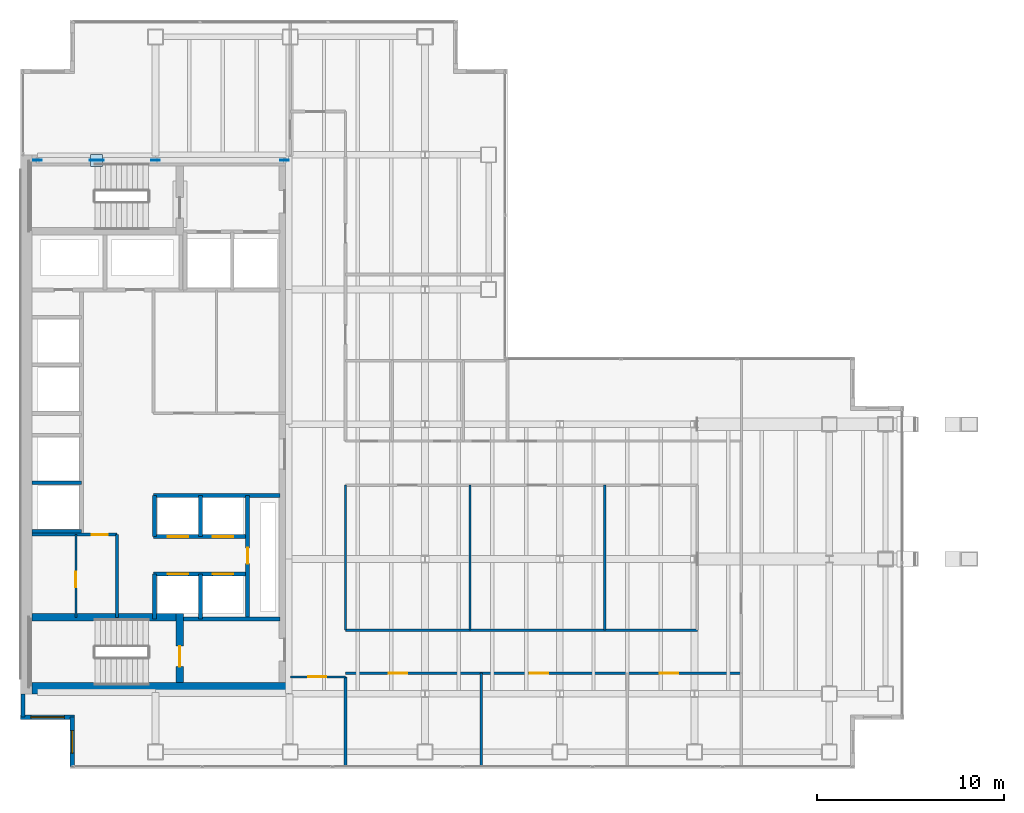
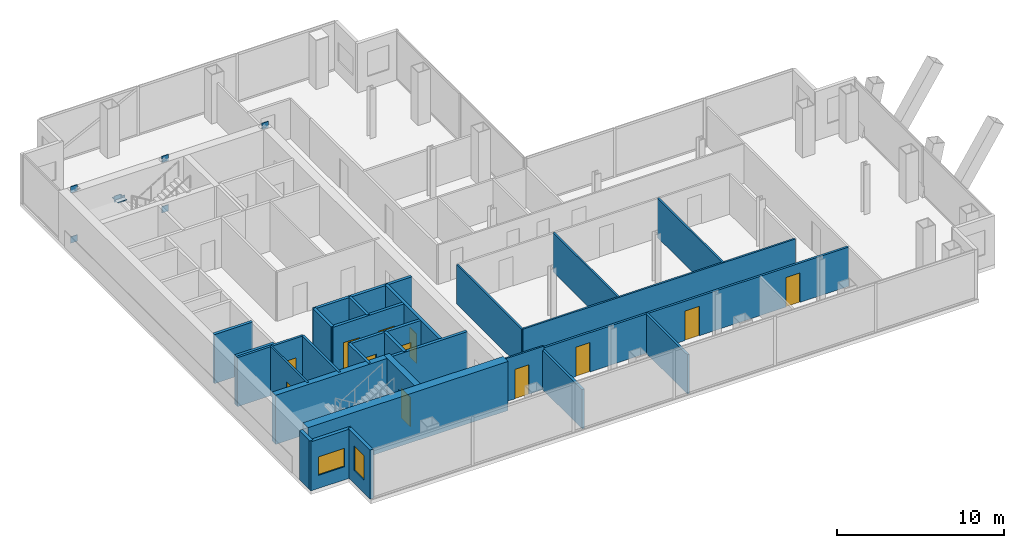
# One storey, part 20 of 23: 28 walls, 12 doors, 8 plates, 2 windows, 14 openings.
"""IFC4 building model written with IfcOpenShell, lengths in metres."""

import ifcopenshell
import ifcopenshell.guid

model = None  # the IFC model being written
_history = None  # IfcOwnerHistory: only IFC2X3 demands one
_inside = {}  # id of a spatial element -> (the spatial element, [elements in it])
_under = {}  # id of a project, library or spatial element -> (it, [spatial elements below it])
_declared = {}  # id of a project -> (the project, [libraries it declares])
_typed = {}  # id of a type object -> (the type object, [elements of that type])
_made_of = {}  # id of a material, layer set ... -> (it, [elements and type objects made of it])


def new_model(schema):
    """Start an empty IFC model of exactly this schema.

    Asked for "IFC4X3", IfcOpenShell would pick the latest addendum, in which some entities
    have other attributes; the version numbers below select the first issue.
    IFC2X3 requires an IfcOwnerHistory on every rooted entity: one is made here for all.
    """
    global model, _history
    if schema == "IFC4X3":
        model = ifcopenshell.file(schema_version=(4, 3, 0, 0))
    else:
        model = ifcopenshell.file(schema=schema)
    _inside.clear()
    _under.clear()
    _declared.clear()
    _typed.clear()
    _made_of.clear()
    _history = None
    if model.schema == "IFC2X3":
        org = make("IfcOrganization", Name="unknown")
        user = make(
            "IfcPersonAndOrganization",
            ThePerson=make("IfcPerson", FamilyName="unknown"),
            TheOrganization=org,
        )
        app = make(
            "IfcApplication",
            ApplicationDeveloper=org,
            Version="unknown",
            ApplicationFullName="unknown",
            ApplicationIdentifier="unknown",
        )
        _history = make(
            "IfcOwnerHistory",
            OwningUser=user,
            OwningApplication=app,
            ChangeAction="ADDED",
            CreationDate=0,
        )
    return model


def make(cls, **values):
    """One entity of the class cls with the attributes given. An attribute that is None is left unset."""
    return model.create_entity(
        cls, **{name: value for name, value in values.items() if value is not None}
    )


def rooted(cls, **values):
    """An entity with a GlobalId (a new one), such as an element, a storey or a relation."""
    return make(cls, GlobalId=ifcopenshell.guid.new(), OwnerHistory=_history, **values)


def si_unit(unit_type, name, prefix=None):
    """IfcSIUnit, for example si_unit("LENGTHUNIT", "METRE", prefix="MILLI")."""
    return make("IfcSIUnit", UnitType=unit_type, Prefix=prefix, Name=name)


def assignment(units):
    """IfcUnitAssignment: the units of a project."""
    return None if units is None else make("IfcUnitAssignment", Units=units)


def point(xyz):
    """IfcCartesianPoint."""
    return None if xyz is None else make("IfcCartesianPoint", Coordinates=xyz)


def direction(xyz):
    """IfcDirection."""
    return None if xyz is None else make("IfcDirection", DirectionRatios=xyz)


def frame(location, z_axis=None, x_axis=None):
    """IfcAxis2Placement3D, a coordinate frame: its origin and axes. An axis left out is left unset."""
    return make(
        "IfcAxis2Placement3D",
        Location=point(location),
        Axis=direction(z_axis),
        RefDirection=direction(x_axis),
    )


def frame_2d(location, x_axis=None):
    """IfcAxis2Placement2D, a coordinate frame in the plane: its origin and x axis."""
    return make(
        "IfcAxis2Placement2D", Location=point(location), RefDirection=direction(x_axis)
    )


def origin():
    """The frame at (0, 0, 0) with its axes left unset."""
    return frame((0.0, 0.0, 0.0))


def origin_2d():
    """The frame at (0, 0) in the plane with its x axis left unset."""
    return frame_2d((0.0, 0.0))


def place(relative_to, where):
    """IfcLocalPlacement: puts the frame where relative to a parent placement (None: the world)."""
    return make(
        "IfcLocalPlacement", PlacementRelTo=relative_to, RelativePlacement=where
    )


def context(
    kind, dimensions, precision=None, world=None, true_north=None, identifier=None
):
    """IfcGeometricRepresentationContext, for example the 3D "Model" context."""
    return make(
        "IfcGeometricRepresentationContext",
        ContextIdentifier=identifier,
        ContextType=kind,
        CoordinateSpaceDimension=dimensions,
        Precision=precision,
        WorldCoordinateSystem=world,
        TrueNorth=true_north,
    )


def subcontext(parent, identifier, kind, view, scale=None):
    """IfcGeometricRepresentationSubContext, for example "Body" below "Model"."""
    return make(
        "IfcGeometricRepresentationSubContext",
        ContextIdentifier=identifier,
        ContextType=kind,
        ParentContext=parent,
        TargetScale=scale,
        TargetView=view,
    )


def project(units=None, contexts=None):
    """IfcProject with its units and contexts."""
    return rooted(
        "IfcProject",
        Name="project",
        RepresentationContexts=contexts,
        UnitsInContext=assignment(units),
    )


def spatial(cls, under=None, at=None, **own):
    """A site, building, storey or space (cls), placed at a placement, below another one or the project."""
    s = rooted(cls, ObjectPlacement=at, **own)
    if under is not None:
        _under.setdefault(under.id(), (under, []))[1].append(s)
    return s


def profile(cls, at=None, kind="AREA", **sizes):
    """A parametric profile (cls). Its sizes go by their IFC names, for example OverallWidth=200.0."""
    return make(cls, ProfileType=kind, Position=at, **sizes)


def rectangle(**sizes):
    """IfcRectangleProfileDef."""
    return profile("IfcRectangleProfileDef", **sizes)


def extrude(swept, where, along, depth):
    """IfcExtrudedAreaSolid: the profile swept, set in the frame where, extruded along a direction by depth."""
    return make(
        "IfcExtrudedAreaSolid",
        SweptArea=swept,
        Position=where,
        ExtrudedDirection=direction(along),
        Depth=depth,
    )


def shape(context_of_items, identifier, shape_type, items):
    """IfcShapeRepresentation: the items that make up one representation, for example the "Body"."""
    return make(
        "IfcShapeRepresentation",
        ContextOfItems=context_of_items,
        RepresentationIdentifier=identifier,
        RepresentationType=shape_type,
        Items=items,
    )


def material(Name=None, Category=None):
    """IfcMaterial."""
    return make("IfcMaterial", Name=Name, Category=Category)


def layer(
    of_material, thickness, ventilated=None, Name=None, Category=None, Priority=None
):
    """IfcMaterialLayer: one layer of a wall or slab, of a material (None: an air gap)."""
    return make(
        "IfcMaterialLayer",
        Material=of_material,
        LayerThickness=thickness,
        IsVentilated=ventilated,
        Name=Name,
        Category=Category,
        Priority=Priority,
    )


def layer_set(layers, Name=None):
    """IfcMaterialLayerSet."""
    return make("IfcMaterialLayerSet", MaterialLayers=layers, LayerSetName=Name)


def made_of(thing, what):
    """Note that an element or type object is made of a material, layer set ...; save() writes the relation."""
    if what is not None:
        _made_of.setdefault(what.id(), (what, []))[1].append(thing)
    return thing


def type_object(cls, material=None, **own):
    """A type object (cls), such as IfcWallType, which elements share."""
    return made_of(rooted(cls, **own), material)


def element(
    cls,
    number,
    at=None,
    inside=None,
    cuts=None,
    type_object=None,
    material=None,
    context=None,
    identifier="Body",
    shape_type=None,
    held_by="IfcProductDefinitionShape",
    body=None,
    shapes=None,
    **own,
):
    """One element of the class cls, such as IfcWall. Its Tag is "e" and its number.

    at: its placement. inside: the storey or other place that contains it. cuts: it is an
    opening in that element (IfcRelVoidsElement). A single representation is given by context,
    identifier, shape_type and body (its items); several are given by shapes. held_by: the class
    of the entity that holds the representations. save() writes the other relations.
    """
    e = rooted(cls, Tag="e%d" % number, ObjectPlacement=at, **own)
    if body is not None:
        shapes = [shape(context, identifier, shape_type, body)]
    if shapes is not None:
        e.Representation = make(held_by, Representations=shapes)
    if inside is not None:
        _inside.setdefault(inside.id(), (inside, []))[1].append(e)
    if cuts is not None:
        rooted(
            "IfcRelVoidsElement", RelatingBuildingElement=cuts, RelatedOpeningElement=e
        )
    if type_object is not None:
        _typed.setdefault(type_object.id(), (type_object, []))[1].append(e)
    return made_of(e, material)


def fill(opening, filler):
    """IfcRelFillsElement: the door or window that sits in an opening."""
    return rooted(
        "IfcRelFillsElement",
        RelatingOpeningElement=opening,
        RelatedBuildingElement=filler,
    )


def aggregate(whole, parts):
    """IfcRelAggregates: a whole, such as a stair, and the parts it consists of."""
    return rooted("IfcRelAggregates", RelatingObject=whole, RelatedObjects=parts)


def save(model, path):
    """Write the relations noted so far, then the file.

    IfcRelAggregates (storeys below a building ...), IfcRelContainedInSpatialStructure (elements
    in a storey), IfcRelDefinesByType, IfcRelAssociatesMaterial and IfcRelDeclares: one each for
    every whole, place, type object, material and project.
    """
    for whole, parts in _under.values():
        aggregate(whole, parts)
    for where, things in _inside.values():
        rooted(
            "IfcRelContainedInSpatialStructure",
            RelatedElements=things,
            RelatingStructure=where,
        )
    for kind, things in _typed.values():
        rooted("IfcRelDefinesByType", RelatedObjects=things, RelatingType=kind)
    for what, things in _made_of.values():
        rooted("IfcRelAssociatesMaterial", RelatedObjects=things, RelatingMaterial=what)
    for by, libraries in _declared.values():
        rooted("IfcRelDeclares", RelatingContext=by, RelatedDefinitions=libraries)
    model.write(path)


model = new_model("IFC4")

# Units and contexts
model_context = context("Model", 3, precision=1e-05, world=origin(), true_north=direction((0.0, 1.0)))
body_context = subcontext(model_context, "Body", "Model", "MODEL_VIEW")
ifc_project = project(units=[si_unit("LENGTHUNIT", "METRE"), si_unit("AREAUNIT", "SQUARE_METRE"), si_unit("VOLUMEUNIT", "CUBIC_METRE"), si_unit("PLANEANGLEUNIT", "RADIAN"), si_unit("MASSUNIT", "GRAM", prefix="KILO")], contexts=[model_context])

# Site, building, storey
site_placement = place(None, origin())
site = spatial("IfcSite", under=ifc_project, at=site_placement, CompositionType="ELEMENT")
building_placement = place(site_placement, origin())
building = spatial("IfcBuilding", under=site, at=building_placement, Name="Cobrela Telecom Tower", CompositionType="ELEMENT")
storey_placement = place(building_placement, frame((0.0, 0.0, 159.949951171875)))
storey = spatial("IfcBuildingStorey", under=building, at=storey_placement, Name="L40", CompositionType="ELEMENT", Elevation=159.949951171875)

# Plates
ifc_material_1 = material(Name="Steel ASTM A572 Grade 50", Category="steel")
ifc_layer_1 = layer(ifc_material_1, 0.0419921875)
ifc_layer_set_1 = layer_set([ifc_layer_1], Name="Steel ASTM A572 Grade 50")
plate_type = type_object("IfcPlateType", Name="PLT-NODE-ND1", PredefinedType="USERDEFINED", material=ifc_layer_set_1)
for number, where, z_axis, x_axis, name in (
    (1, (0.89990234375, 35.699951171875, -0.27001953125), (0.0, 0.0, 1.0), (1.0, 0.0, 0.0), "Steel node plate PLT-MBR-EXO-L40-N1-A-0"),
    (2, (7.199951171875, 35.699951171875, 3.39013671875), (0.0, 0.0, 1.0), (1.0, 0.0, 0.0), "Steel node plate PLT-MBR-EXO-L40-N1-A-1"),
    (3, (7.199951171875, 35.699951171875, -0.27001953125), (0.0, 0.0, 1.0), (-1.0, 0.0, 0.0), "Steel node plate PLT-MBR-EXO-L40-N1-B1-0"),
    (4, (4.1953125, 35.699951171875, 1.4755859375), (0.0, 0.0, 1.0), (-1.0, 0.0, 0.0), "Steel node plate PLT-MBR-EXO-L40-N1-B1-1"),
    (5, (3.90478515625, 35.699951171875, 1.64453125), (0.0, 0.0, 1.0), (-1.0, 0.0, 0.0), "Steel node plate PLT-MBR-EXO-L40-N1-B2-0"),
    (6, (0.89990234375, 35.699951171875, 3.39013671875), (0.0, 0.0, 1.0), (-1.0, 0.0, 0.0), "Steel node plate PLT-MBR-EXO-L40-N1-B2-1"),
):
    element("IfcPlate", number, at=place(storey_placement, frame(where, z_axis=z_axis, x_axis=x_axis)), inside=storey, type_object=plate_type, Name=name, ObjectType="GUSSET PLATE", PredefinedType="USERDEFINED", context=body_context, shape_type="SweptSolid", body=[
        extrude(rectangle(XDim=0.4599609375, YDim=0.044921875, at=origin_2d()), origin(), (0.0, 0.0, 1.0), 0.4599609375),
    ])
plate_1_placement = place(storey_placement, frame((4.050048828125, 35.699951171875, 1.767578125), z_axis=(0.0, 0.0, 1.0), x_axis=(1.0, 0.0, 0.0)))
element("IfcPlate", 7, at=plate_1_placement, inside=storey, type_object=plate_type, Name="L40 Core Flange Steel X-Brace Central X-Crossing Gusset Plate", ObjectType="GUSSET PLATE", PredefinedType="USERDEFINED", context=body_context, shape_type="SweptSolid", body=[
    extrude(rectangle(XDim=0.64990234375, YDim=0.64990234375, at=origin_2d()), origin(), (0.0, 0.0, 1.0), 0.044921875),
])
plate_2_placement = place(storey_placement, frame((14.10009765625, 35.699951171875, 3.39013671875), z_axis=(0.0, 0.0, 1.0), x_axis=(1.0, 0.0, 0.0)))
element("IfcPlate", 8, at=plate_2_placement, inside=storey, type_object=plate_type, Name="Steel node plate PLT-MBR-EXO-L40-N2-1", ObjectType="GUSSET PLATE", PredefinedType="USERDEFINED", context=body_context, shape_type="SweptSolid", body=[
    extrude(rectangle(XDim=0.4599609375, YDim=0.044921875, at=origin_2d()), origin(), (0.0, 0.0, 1.0), 0.4599609375),
])

# Wall
ifc_material_2 = material(Name="Concrete C50/60", Category="concrete")
ifc_layer_2 = layer(ifc_material_2, 0.60009765625)
ifc_layer_set_2 = layer_set([ifc_layer_2], Name="Concrete C50/60")
wall_type_1 = type_object("IfcWallType", Name="WALL-CORE-C50-600", PredefinedType="SHEAR", material=ifc_layer_set_2)
wall_1_placement = place(storey_placement, frame((0.60009765625, 7.5, 0.0), z_axis=(0.0, 0.0, 1.0), x_axis=(1.0, 0.0, 0.0)))
element("IfcWall", 9, at=wall_1_placement, inside=storey, type_object=wall_type_1, Name="L40 South Core Shear Wall", PredefinedType="SHEAR", context=body_context, shape_type="SweptSolid", body=[
    extrude(rectangle(XDim=13.7998046875, YDim=0.60009765625, at=frame_2d((6.89990234375, 0.0))), origin(), (0.0, 0.0, 1.0), 3.580078125),
])

# Wall, opening, window
ifc_material_3 = material(Name="Concrete C40/50", Category="concrete")
ifc_layer_3 = layer(ifc_material_3, 0.239990234375)
ifc_layer_set_3 = layer_set([ifc_layer_3], Name="Concrete C40/50")
wall_type_2 = type_object("IfcWallType", Name="WALL-EXT-300", PredefinedType="STANDARD", material=ifc_layer_set_3)
wall_2_placement = place(storey_placement, frame((2.75, 3.320068359375, 0.0), z_axis=(0.0, 0.0, 1.0), x_axis=(0.0, 1.0, 0.0)))
wall_2 = element("IfcWall", 10, at=wall_2_placement, inside=storey, type_object=wall_type_2, Name="L40 Insulated Facade Wall 01", PredefinedType="STANDARD", context=body_context, shape_type="SweptSolid", body=[
    extrude(rectangle(XDim=2.6298828125, YDim=0.239990234375, at=frame_2d((1.31494140625, 0.0))), origin(), (0.0, 0.0, 1.0), 3.580078125),
])
opening_1_placement = place(wall_2_placement, frame((0.715087890625, 0.0, 0.949951171875)))
opening_1 = element("IfcOpeningElement", 11, at=opening_1_placement, cuts=wall_2, Name="Opening WN-19", PredefinedType="OPENING", context=body_context, shape_type="SweptSolid", body=[
    extrude(rectangle(XDim=1.199951171875, YDim=1.800048828125, at=frame_2d((0.60009765625, 0.89990234375))), frame((0.0, 0.1318359375, 0.0), z_axis=(0.0, -1.0, 0.0), x_axis=(1.0, 0.0, 0.0)), (0.0, 0.0, 1.0), 0.263916015625),
])
ifc_material_4 = material(Name="Solar-Control Bronze Low-E Glass", Category="glass")
window_type_1 = type_object("IfcWindowType", Name="WIN-MOD-1200", PartitioningType="SINGLE_PANEL", PredefinedType="WINDOW", material=ifc_material_4)
window_1_placement = place(opening_1_placement, origin())
window_1 = element("IfcWindow", 12, at=window_1_placement, inside=storey, type_object=window_type_1, Name="L40 Corner Notch Facade Window 190", OverallHeight=1.800048828125, OverallWidth=1.199951171875, PartitioningType="SINGLE_PANEL", PredefinedType="WINDOW", context=body_context, shape_type="SweptSolid", body=[
    extrude(rectangle(XDim=1.199951171875, YDim=1.800048828125, at=frame_2d((0.60009765625, 0.89990234375))), frame((0.0, 0.030029296875, 0.0), z_axis=(0.0, -1.0, 0.0), x_axis=(1.0, 0.0, 0.0)), (0.0, 0.0, 1.0), 0.06005859375),
])
fill(opening_1, window_1)

wall_3_placement = place(storey_placement, frame((2.8701171875, 5.949951171875, 0.0), z_axis=(0.0, 0.0, 1.0), x_axis=(-1.0, 0.0, 0.0)))
wall_3 = element("IfcWall", 13, at=wall_3_placement, inside=storey, type_object=wall_type_2, Name="L40 Insulated Facade Wall 02", PredefinedType="STANDARD", context=body_context, shape_type="SweptSolid", body=[
    extrude(rectangle(XDim=2.8701171875, YDim=0.239990234375, at=frame_2d((1.43505859375, 0.0))), origin(), (0.0, 0.0, 1.0), 3.580078125),
])
opening_2_placement = place(wall_3_placement, frame((0.534912109375, 0.0, 0.949951171875)))
opening_2 = element("IfcOpeningElement", 14, at=opening_2_placement, cuts=wall_3, Name="Opening WN-27", PredefinedType="OPENING", context=body_context, shape_type="SweptSolid", body=[
    extrude(rectangle(XDim=1.800048828125, YDim=1.35009765625, at=frame_2d((0.89990234375, 0.675048828125))), frame((0.0, 0.1318359375, 0.0), z_axis=(0.0, -1.0, 0.0), x_axis=(1.0, 0.0, 0.0)), (0.0, 0.0, 1.0), 0.263916015625),
])
window_type_2 = type_object("IfcWindowType", Name="WIN-CLER-1800", PartitioningType="SINGLE_PANEL", PredefinedType="WINDOW", material=ifc_material_4)
window_2_placement = place(opening_2_placement, origin())
window_2 = element("IfcWindow", 15, at=window_2_placement, inside=storey, type_object=window_type_2, Name="L40 Corner Notch Facade Window 191", OverallHeight=1.35009765625, OverallWidth=1.800048828125, PartitioningType="SINGLE_PANEL", PredefinedType="WINDOW", context=body_context, shape_type="SweptSolid", body=[
    extrude(rectangle(XDim=1.800048828125, YDim=1.35009765625, at=frame_2d((0.89990234375, 0.675048828125))), frame((0.0, 0.030029296875, 0.0), z_axis=(0.0, -1.0, 0.0), x_axis=(1.0, 0.0, 0.0)), (0.0, 0.0, 1.0), 0.06005859375),
])
fill(opening_2, window_2)

# Wall
wall_4_placement = place(storey_placement, frame((0.1201171875, 5.949951171875, 0.0), z_axis=(0.0, 0.0, 1.0), x_axis=(0.0, 1.0, 0.0)))
element("IfcWall", 16, at=wall_4_placement, inside=storey, type_object=wall_type_2, Name="L40 Insulated Facade Wall 03", PredefinedType="STANDARD", context=body_context, shape_type="SweptSolid", body=[
    extrude(rectangle(XDim=1.25, YDim=0.239990234375, at=frame_2d((0.625, 0.0))), origin(), (0.0, 0.0, 1.0), 3.580078125),
])

# Wall, opening, door
ifc_material_5 = material(Name="Fire-Rated Gypsum Plasterboard")
ifc_layer_4 = layer(ifc_material_5, 0.110107421875)
ifc_layer_set_4 = layer_set([ifc_layer_4], Name="Fire-Rated Gypsum Plasterboard")
wall_type_3 = type_object("IfcWallType", Name="WALL-PART-110", PredefinedType="PARTITIONING", material=ifc_layer_set_4)
wall_5_placement = place(storey_placement, frame((14.39990234375, 8.10009765625, 0.0), z_axis=(0.0, 0.0, 1.0), x_axis=(1.0, 0.0, 0.0)))
wall_5 = element("IfcWall", 17, at=wall_5_placement, inside=storey, type_object=wall_type_3, Name="L40 Interior Partition W-UW-S0", PredefinedType="PARTITIONING", context=body_context, shape_type="SweptSolid", body=[
    extrude(rectangle(XDim=2.9501953125, YDim=0.110107421875, at=frame_2d((1.47509765625, 0.0))), origin(), (0.0, 0.0, 1.0), 3.14794921875),
])
opening_3_placement = place(wall_5_placement, frame((0.949951171875, 0.0, 0.0)))
opening_3 = element("IfcOpeningElement", 18, at=opening_3_placement, cuts=wall_5, Name="Opening DR-17", PredefinedType="OPENING", context=body_context, shape_type="SweptSolid", body=[
    extrude(rectangle(XDim=0.97998046875, YDim=2.14990234375, at=frame_2d((0.489990234375, 1.074951171875))), frame((0.0, 0.06689453125, 0.0), z_axis=(0.0, -1.0, 0.0), x_axis=(1.0, 0.0, 0.0)), (0.0, 0.0, 1.0), 0.134033203125),
])
ifc_material_6 = material(Name="Solid Engineered Oak Timber", Category="wood")
door_type_1 = type_object("IfcDoorType", Name="DOOR-INT-980", OperationType="SINGLE_SWING_LEFT", PredefinedType="DOOR", material=ifc_material_6)
door_1_placement = place(opening_3_placement, origin())
door_1 = element("IfcDoor", 19, at=door_1_placement, inside=storey, type_object=door_type_1, Name="L40 Door DR-17", OperationType="SINGLE_SWING_RIGHT", OverallHeight=2.14990234375, OverallWidth=0.97998046875, PredefinedType="DOOR", context=body_context, shape_type="SweptSolid", body=[
    extrude(rectangle(XDim=0.97998046875, YDim=2.14990234375, at=frame_2d((0.489990234375, 1.074951171875))), frame((0.0, 0.02490234375, 0.0), z_axis=(0.0, -1.0, 0.0), x_axis=(1.0, 0.0, 0.0)), (0.0, 0.0, 1.0), 0.050048828125),
])
fill(opening_3, door_1)

ifc_layer_5 = layer(ifc_material_5, 0.125)
ifc_layer_set_5 = layer_set([ifc_layer_5], Name="Fire-Rated Gypsum Plasterboard")
wall_type_4 = type_object("IfcWallType", Name="WALL-PART-125", PredefinedType="PARTITIONING", material=ifc_layer_set_5)
wall_6_placement = place(storey_placement, frame((2.949951171875, 11.280029296875, 0.0), z_axis=(0.0, 0.0, 1.0), x_axis=(0.0, 1.0, 0.0)))
wall_6 = element("IfcWall", 20, at=wall_6_placement, inside=storey, type_object=wall_type_4, Name="L40 Interior Partition CW-FK1-V", PredefinedType="PARTITIONING", context=body_context, shape_type="SweptSolid", body=[
    extrude(rectangle(XDim=4.419921875, YDim=0.125, at=frame_2d((2.2099609375, 0.0))), origin(), (0.0, 0.0, 1.0), 3.580078125),
])
opening_4_placement = place(wall_6_placement, frame((1.60009765625, 0.0, 0.0)))
opening_4 = element("IfcOpeningElement", 21, at=opening_4_placement, cuts=wall_6, Name="Opening DR-11", PredefinedType="OPENING", context=body_context, shape_type="SweptSolid", body=[
    extrude(rectangle(XDim=0.85009765625, YDim=2.14990234375, at=frame_2d((0.425048828125, 1.074951171875))), frame((0.0, 0.074462890625, 0.0), z_axis=(0.0, -1.0, 0.0), x_axis=(1.0, 0.0, 0.0)), (0.0, 0.0, 1.0), 0.14892578125),
])
door_type_2 = type_object("IfcDoorType", Name="DOOR-INT-850", OperationType="SINGLE_SWING_LEFT", PredefinedType="DOOR", material=ifc_material_6)
door_2_placement = place(opening_4_placement, origin())
door_2 = element("IfcDoor", 22, at=door_2_placement, inside=storey, type_object=door_type_2, Name="L40 Door DR-11", OperationType="SINGLE_SWING_RIGHT", OverallHeight=2.14990234375, OverallWidth=0.85009765625, PredefinedType="DOOR", context=body_context, shape_type="SweptSolid", body=[
    extrude(rectangle(XDim=0.85009765625, YDim=2.14990234375, at=frame_2d((0.425048828125, 1.074951171875))), frame((0.0, 0.02490234375, 0.0), z_axis=(0.0, -1.0, 0.0), x_axis=(1.0, 0.0, 0.0)), (0.0, 0.0, 1.0), 0.050048828125),
])
fill(opening_4, door_2)

# Walls
wall_7_placement = place(storey_placement, frame((17.35009765625, 10.60009765625, 0.0), z_axis=(0.0, 0.0, 1.0), x_axis=(0.0, 1.0, 0.0)))
element("IfcWall", 23, at=wall_7_placement, inside=storey, type_object=wall_type_4, Name="L40 Interior Partition W-ISL-W", PredefinedType="PARTITIONING", context=body_context, shape_type="SweptSolid", body=[
    extrude(rectangle(XDim=7.75, YDim=0.125, at=frame_2d((3.875, 0.0))), origin(), (0.0, 0.0, 1.0), 2.869140625),
])
wall_8_placement = place(storey_placement, frame((17.35009765625, 10.60009765625, 0.0), z_axis=(0.0, 0.0, 1.0), x_axis=(1.0, 0.0, 0.0)))
element("IfcWall", 24, at=wall_8_placement, inside=storey, type_object=wall_type_4, Name="L40 Interior Partition W-ISL-S", PredefinedType="PARTITIONING", context=body_context, shape_type="SweptSolid", body=[
    extrude(rectangle(XDim=18.7998046875, YDim=0.125, at=frame_2d((9.39990234375, 0.0))), origin(), (0.0, 0.0, 1.0), 2.869140625),
])
for number, where, z_axis, x_axis, name in (
    (25, (24.0, 10.60009765625, 0.0), (0.0, 0.0, 1.0), (0.0, 1.0, 0.0), "L40 Interior Partition W-ISLV-1"),
    (26, (31.199951171875, 10.60009765625, 0.0), (0.0, 0.0, 1.0), (0.0, 1.0, 0.0), "L40 Interior Partition W-ISLV-2"),
):
    element("IfcWall", number, at=place(storey_placement, frame(where, z_axis=z_axis, x_axis=x_axis)), inside=storey, type_object=wall_type_4, Name=name, PredefinedType="PARTITIONING", context=body_context, shape_type="SweptSolid", body=[
        extrude(rectangle(XDim=7.75, YDim=0.125, at=frame_2d((3.875, 0.0))), origin(), (0.0, 0.0, 1.0), 2.869140625),
    ])
ifc_layer_6 = layer(ifc_material_5, 0.14990234375)
ifc_layer_set_6 = layer_set([ifc_layer_6], Name="Fire-Rated Gypsum Plasterboard")
wall_type_5 = type_object("IfcWallType", Name="WALL-PART-150", PredefinedType="PARTITIONING", material=ifc_layer_set_6)
wall_9_placement = place(storey_placement, frame((5.14990234375, 11.280029296875, 0.0), z_axis=(0.0, 0.0, 1.0), x_axis=(0.0, 1.0, 0.0)))
element("IfcWall", 27, at=wall_9_placement, inside=storey, type_object=wall_type_5, Name="L40 Interior Partition CW-FLEX-E", PredefinedType="PARTITIONING", context=body_context, shape_type="SweptSolid", body=[
    extrude(rectangle(XDim=4.419921875, YDim=0.14990234375, at=frame_2d((2.2099609375, 0.0))), origin(), (0.0, 0.0, 1.0), 3.580078125),
])

# Wall, openings, doors
wall_10_placement = place(storey_placement, frame((17.35009765625, 8.300048828125, 0.0), z_axis=(0.0, 0.0, 1.0), x_axis=(1.0, 0.0, 0.0)))
wall_10 = element("IfcWall", 28, at=wall_10_placement, inside=storey, type_object=wall_type_5, Name="L40 Interior Partition W-US-S", PredefinedType="PARTITIONING", context=body_context, shape_type="SweptSolid", body=[
    extrude(rectangle(XDim=21.14990234375, YDim=0.14990234375, at=frame_2d((10.574951171875, 0.0))), origin(), (0.0, 0.0, 1.0), 2.869140625),
])
opening_5_placement = place(wall_10_placement, frame((2.320068359375, 0.0, 0.0)))
opening_5 = element("IfcOpeningElement", 29, at=opening_5_placement, cuts=wall_10, Name="Opening DR-17", PredefinedType="OPENING", context=body_context, shape_type="SweptSolid", body=[
    extrude(rectangle(XDim=0.97998046875, YDim=2.14990234375, at=frame_2d((0.489990234375, 1.074951171875))), frame((0.0, 0.0869140625, 0.0), z_axis=(0.0, -1.0, 0.0), x_axis=(1.0, 0.0, 0.0)), (0.0, 0.0, 1.0), 0.173828125),
])
opening_6_placement = place(wall_10_placement, frame((9.85009765625, 0.0, 0.0)))
opening_6 = element("IfcOpeningElement", 30, at=opening_6_placement, cuts=wall_10, Name="Opening DR-17", PredefinedType="OPENING", context=body_context, shape_type="SweptSolid", body=[
    extrude(rectangle(XDim=0.97998046875, YDim=2.14990234375, at=frame_2d((0.489990234375, 1.074951171875))), frame((0.0, 0.0869140625, 0.0), z_axis=(0.0, -1.0, 0.0), x_axis=(1.0, 0.0, 0.0)), (0.0, 0.0, 1.0), 0.173828125),
])
opening_7_placement = place(wall_10_placement, frame((16.800048828125, 0.0, 0.0)))
opening_7 = element("IfcOpeningElement", 31, at=opening_7_placement, cuts=wall_10, Name="Opening DR-17", PredefinedType="OPENING", context=body_context, shape_type="SweptSolid", body=[
    extrude(rectangle(XDim=0.97998046875, YDim=2.14990234375, at=frame_2d((0.489990234375, 1.074951171875))), frame((0.0, 0.0869140625, 0.0), z_axis=(0.0, -1.0, 0.0), x_axis=(1.0, 0.0, 0.0)), (0.0, 0.0, 1.0), 0.173828125),
])
door_3_placement = place(opening_5_placement, origin())
door_3 = element("IfcDoor", 32, at=door_3_placement, inside=storey, type_object=door_type_1, Name="L40 Door DR-17", OperationType="SINGLE_SWING_LEFT", OverallHeight=2.14990234375, OverallWidth=0.97998046875, PredefinedType="DOOR", context=body_context, shape_type="SweptSolid", body=[
    extrude(rectangle(XDim=0.97998046875, YDim=2.14990234375, at=frame_2d((0.489990234375, 1.074951171875))), frame((0.0, 0.02490234375, 0.0), z_axis=(0.0, -1.0, 0.0), x_axis=(1.0, 0.0, 0.0)), (0.0, 0.0, 1.0), 0.050048828125),
])
fill(opening_5, door_3)
door_4_placement = place(opening_6_placement, origin())
door_4 = element("IfcDoor", 33, at=door_4_placement, inside=storey, type_object=door_type_1, Name="L40 Door DR-17", OperationType="SINGLE_SWING_RIGHT", OverallHeight=2.14990234375, OverallWidth=0.97998046875, PredefinedType="DOOR", context=body_context, shape_type="SweptSolid", body=[
    extrude(rectangle(XDim=0.97998046875, YDim=2.14990234375, at=frame_2d((0.489990234375, 1.074951171875))), frame((0.0, 0.02490234375, 0.0), z_axis=(0.0, -1.0, 0.0), x_axis=(1.0, 0.0, 0.0)), (0.0, 0.0, 1.0), 0.050048828125),
])
fill(opening_6, door_4)
door_5_placement = place(opening_7_placement, origin())
door_5 = element("IfcDoor", 34, at=door_5_placement, inside=storey, type_object=door_type_1, Name="L40 Door DR-17", OperationType="SINGLE_SWING_LEFT", OverallHeight=2.14990234375, OverallWidth=0.97998046875, PredefinedType="DOOR", context=body_context, shape_type="SweptSolid", body=[
    extrude(rectangle(XDim=0.97998046875, YDim=2.14990234375, at=frame_2d((0.489990234375, 1.074951171875))), frame((0.0, 0.02490234375, 0.0), z_axis=(0.0, -1.0, 0.0), x_axis=(1.0, 0.0, 0.0)), (0.0, 0.0, 1.0), 0.050048828125),
])
fill(opening_7, door_5)

# Wall
wall_11_placement = place(storey_placement, frame((24.60009765625, 3.320068359375, 0.0), z_axis=(0.0, 0.0, 1.0), x_axis=(0.0, 1.0, 0.0)))
element("IfcWall", 35, at=wall_11_placement, inside=storey, type_object=wall_type_5, Name="L40 Interior Partition W-USV-1", PredefinedType="PARTITIONING", context=body_context, shape_type="SweptSolid", body=[
    extrude(rectangle(XDim=4.97998046875, YDim=0.14990234375, at=frame_2d((2.489990234375, 0.0))), origin(), (0.0, 0.0, 1.0), 2.869140625),
])

# Wall, opening, door
ifc_layer_7 = layer(ifc_material_5, 0.159912109375)
ifc_layer_set_7 = layer_set([ifc_layer_7], Name="Fire-Rated Gypsum Plasterboard")
wall_type_6 = type_object("IfcWallType", Name="WALL-PART-160", PredefinedType="PARTITIONING", material=ifc_layer_set_7)
wall_12_placement = place(storey_placement, frame((0.60009765625, 15.699951171875, 0.0), z_axis=(0.0, 0.0, 1.0), x_axis=(1.0, 0.0, 0.0)))
wall_12 = element("IfcWall", 36, at=wall_12_placement, inside=storey, type_object=wall_type_6, Name="L40 Interior Partition CW-FLEX-N", PredefinedType="PARTITIONING", context=body_context, shape_type="SweptSolid", body=[
    extrude(rectangle(XDim=4.5498046875, YDim=0.159912109375, at=frame_2d((2.27490234375, 0.0))), origin(), (0.0, 0.0, 1.0), 3.580078125),
])
opening_8_placement = place(wall_12_placement, frame((3.199951171875, 0.0, 0.0)))
opening_8 = element("IfcOpeningElement", 37, at=opening_8_placement, cuts=wall_12, Name="Opening DR-11", PredefinedType="OPENING", context=body_context, shape_type="SweptSolid", body=[
    extrude(rectangle(XDim=0.85009765625, YDim=2.14990234375, at=frame_2d((0.425048828125, 1.074951171875))), frame((0.0, 0.091796875, 0.0), z_axis=(0.0, -1.0, 0.0), x_axis=(1.0, 0.0, 0.0)), (0.0, 0.0, 1.0), 0.183837890625),
])
door_6_placement = place(opening_8_placement, origin())
door_6 = element("IfcDoor", 38, at=door_6_placement, inside=storey, type_object=door_type_2, Name="L40 Door DR-11", OperationType="SINGLE_SWING_LEFT", OverallHeight=2.14990234375, OverallWidth=0.85009765625, PredefinedType="DOOR", context=body_context, shape_type="SweptSolid", body=[
    extrude(rectangle(XDim=0.85009765625, YDim=2.14990234375, at=frame_2d((0.425048828125, 1.074951171875))), frame((0.0, 0.02490234375, 0.0), z_axis=(0.0, -1.0, 0.0), x_axis=(1.0, 0.0, 0.0)), (0.0, 0.0, 1.0), 0.050048828125),
])
fill(opening_8, door_6)

# Walls
wall_13_placement = place(storey_placement, frame((17.35009765625, 3.320068359375, 0.0), z_axis=(0.0, 0.0, 1.0), x_axis=(0.0, 1.0, 0.0)))
element("IfcWall", 39, at=wall_13_placement, inside=storey, type_object=wall_type_6, Name="L40 Interior Partition W-USW-E", PredefinedType="PARTITIONING", context=body_context, shape_type="SweptSolid", body=[
    extrude(rectangle(XDim=4.780029296875, YDim=0.159912109375, at=frame_2d((2.39013671875, 0.0))), origin(), (0.0, 0.0, 1.0), 2.869140625),
])
ifc_layer_8 = layer(ifc_material_5, 0.199951171875)
ifc_layer_set_8 = layer_set([ifc_layer_8], Name="Fire-Rated Gypsum Plasterboard")
wall_type_7 = type_object("IfcWallType", Name="WALL-SHAFT-200", PredefinedType="PARTITIONING", material=ifc_layer_set_8)
wall_14_placement = place(storey_placement, frame((8.699951171875, 11.199951171875, 0.0), z_axis=(0.0, 0.0, 1.0), x_axis=(1.0, 0.0, 0.0)))
element("IfcWall", 40, at=wall_14_placement, inside=storey, type_object=wall_type_7, Name="L40 Shaft Enclosure CW-ST2L-N", PredefinedType="PARTITIONING", context=body_context, shape_type="SweptSolid", body=[
    extrude(rectangle(XDim=5.150146484375, YDim=0.199951171875, at=frame_2d((2.5751953125, 0.0))), origin(), (0.0, 0.0, 1.0), 3.580078125),
])
for number, where, z_axis, x_axis, name in (
    (41, (0.60009765625, 15.8798828125, 0.0), (0.0, 0.0, 1.0), (1.0, 0.0, 0.0), "L40 Shaft Enclosure CW-PLH-D9"),
    (42, (0.60009765625, 18.47998046875, 0.0), (0.0, 0.0, 1.0), (1.0, 0.0, 0.0), "L40 Shaft Enclosure CW-PLH-D10"),
):
    element("IfcWall", number, at=place(storey_placement, frame(where, z_axis=z_axis, x_axis=x_axis)), inside=storey, type_object=wall_type_7, Name=name, PredefinedType="PARTITIONING", context=body_context, shape_type="SweptSolid", body=[
        extrude(rectangle(XDim=2.64990234375, YDim=0.199951171875, at=frame_2d((1.324951171875, 0.0))), origin(), (0.0, 0.0, 1.0), 3.580078125),
    ])
wall_15_placement = place(storey_placement, frame((7.10009765625, 17.800048828125, 0.0), z_axis=(0.0, 0.0, 1.0), x_axis=(1.0, 0.0, 0.0)))
element("IfcWall", 43, at=wall_15_placement, inside=storey, type_object=wall_type_7, Name="L40 Shaft Enclosure CW-PLM-T0", PredefinedType="PARTITIONING", context=body_context, shape_type="SweptSolid", body=[
    extrude(rectangle(XDim=6.75, YDim=0.199951171875, at=frame_2d((3.375, 0.0))), origin(), (0.0, 0.0, 1.0), 3.580078125),
])

# Wall, openings, doors
wall_16_placement = place(storey_placement, frame((7.10009765625, 15.60009765625, 0.0), z_axis=(0.0, 0.0, 1.0), x_axis=(1.0, 0.0, 0.0)))
wall_16 = element("IfcWall", 44, at=wall_16_placement, inside=storey, type_object=wall_type_7, Name="L40 Shaft Enclosure CW-PLM-N", PredefinedType="PARTITIONING", context=body_context, shape_type="SweptSolid", body=[
    extrude(rectangle(XDim=5.02001953125, YDim=0.199951171875, at=frame_2d((2.510009765625, 0.0))), origin(), (0.0, 0.0, 1.0), 3.580078125),
])
opening_9_placement = place(wall_16_placement, frame((0.75, 0.0, 0.0)))
opening_9 = element("IfcOpeningElement", 45, at=opening_9_placement, cuts=wall_16, Name="Opening LD-1", PredefinedType="OPENING", context=body_context, shape_type="SweptSolid", body=[
    extrude(rectangle(XDim=1.10009765625, YDim=2.199951171875, at=frame_2d((0.550048828125, 1.10009765625))), frame((0.0, 0.11181640625, 0.0), z_axis=(0.0, -1.0, 0.0), x_axis=(1.0, 0.0, 0.0)), (0.0, 0.0, 1.0), 0.223876953125),
])
opening_10_placement = place(wall_16_placement, frame((3.14990234375, 0.0, 0.0)))
opening_10 = element("IfcOpeningElement", 46, at=opening_10_placement, cuts=wall_16, Name="Opening LD-1", PredefinedType="OPENING", context=body_context, shape_type="SweptSolid", body=[
    extrude(rectangle(XDim=1.10009765625, YDim=2.199951171875, at=frame_2d((0.550048828125, 1.10009765625))), frame((0.0, 0.11181640625, 0.0), z_axis=(0.0, -1.0, 0.0), x_axis=(1.0, 0.0, 0.0)), (0.0, 0.0, 1.0), 0.223876953125),
])
ifc_material_7 = material(Name="Steel ASTM A36", Category="steel")
door_type_3 = type_object("IfcDoorType", Name="DOOR-LD-PL", OperationType="SINGLE_SWING_LEFT", PredefinedType="DOOR", material=ifc_material_7)
door_7_placement = place(opening_9_placement, origin())
door_7 = element("IfcDoor", 47, at=door_7_placement, inside=storey, type_object=door_type_3, Name="L40 Lift Landing Door LD-1", OperationType="DOUBLE_DOOR_SLIDING", OverallHeight=2.199951171875, OverallWidth=1.10009765625, PredefinedType="DOOR", context=body_context, shape_type="SweptSolid", body=[
    extrude(rectangle(XDim=1.10009765625, YDim=2.199951171875, at=frame_2d((0.550048828125, 1.10009765625))), frame((0.0, 0.02490234375, 0.0), z_axis=(0.0, -1.0, 0.0), x_axis=(1.0, 0.0, 0.0)), (0.0, 0.0, 1.0), 0.050048828125),
])
fill(opening_9, door_7)
door_8_placement = place(opening_10_placement, origin())
door_8 = element("IfcDoor", 48, at=door_8_placement, inside=storey, type_object=door_type_3, Name="L40 Lift Landing Door LD-1", OperationType="DOUBLE_DOOR_SLIDING", OverallHeight=2.199951171875, OverallWidth=1.10009765625, PredefinedType="DOOR", context=body_context, shape_type="SweptSolid", body=[
    extrude(rectangle(XDim=1.10009765625, YDim=2.199951171875, at=frame_2d((0.550048828125, 1.10009765625))), frame((0.0, 0.02490234375, 0.0), z_axis=(0.0, -1.0, 0.0), x_axis=(1.0, 0.0, 0.0)), (0.0, 0.0, 1.0), 0.050048828125),
])
fill(opening_10, door_8)

wall_17_placement = place(storey_placement, frame((7.10009765625, 13.60009765625, 0.0), z_axis=(0.0, 0.0, 1.0), x_axis=(1.0, 0.0, 0.0)))
wall_17 = element("IfcWall", 49, at=wall_17_placement, inside=storey, type_object=wall_type_7, Name="L40 Shaft Enclosure CW-PLM-S", PredefinedType="PARTITIONING", context=body_context, shape_type="SweptSolid", body=[
    extrude(rectangle(XDim=5.02001953125, YDim=0.199951171875, at=frame_2d((2.510009765625, 0.0))), origin(), (0.0, 0.0, 1.0), 3.580078125),
])
opening_11_placement = place(wall_17_placement, frame((0.75, 0.0, 0.0)))
opening_11 = element("IfcOpeningElement", 50, at=opening_11_placement, cuts=wall_17, Name="Opening LD-1", PredefinedType="OPENING", context=body_context, shape_type="SweptSolid", body=[
    extrude(rectangle(XDim=1.10009765625, YDim=2.199951171875, at=frame_2d((0.550048828125, 1.10009765625))), frame((0.0, 0.11181640625, 0.0), z_axis=(0.0, -1.0, 0.0), x_axis=(1.0, 0.0, 0.0)), (0.0, 0.0, 1.0), 0.223876953125),
])
opening_12_placement = place(wall_17_placement, frame((3.14990234375, 0.0, 0.0)))
opening_12 = element("IfcOpeningElement", 51, at=opening_12_placement, cuts=wall_17, Name="Opening LD-1", PredefinedType="OPENING", context=body_context, shape_type="SweptSolid", body=[
    extrude(rectangle(XDim=1.10009765625, YDim=2.199951171875, at=frame_2d((0.550048828125, 1.10009765625))), frame((0.0, 0.11181640625, 0.0), z_axis=(0.0, -1.0, 0.0), x_axis=(1.0, 0.0, 0.0)), (0.0, 0.0, 1.0), 0.223876953125),
])
door_9_placement = place(opening_11_placement, origin())
door_9 = element("IfcDoor", 52, at=door_9_placement, inside=storey, type_object=door_type_3, Name="L40 Lift Landing Door LD-1", OperationType="DOUBLE_DOOR_SLIDING", OverallHeight=2.199951171875, OverallWidth=1.10009765625, PredefinedType="DOOR", context=body_context, shape_type="SweptSolid", body=[
    extrude(rectangle(XDim=1.10009765625, YDim=2.199951171875, at=frame_2d((0.550048828125, 1.10009765625))), frame((0.0, 0.02490234375, 0.0), z_axis=(0.0, -1.0, 0.0), x_axis=(1.0, 0.0, 0.0)), (0.0, 0.0, 1.0), 0.050048828125),
])
fill(opening_11, door_9)
door_10_placement = place(opening_12_placement, origin())
door_10 = element("IfcDoor", 53, at=door_10_placement, inside=storey, type_object=door_type_3, Name="L40 Lift Landing Door LD-1", OperationType="DOUBLE_DOOR_SLIDING", OverallHeight=2.199951171875, OverallWidth=1.10009765625, PredefinedType="DOOR", context=body_context, shape_type="SweptSolid", body=[
    extrude(rectangle(XDim=1.10009765625, YDim=2.199951171875, at=frame_2d((0.550048828125, 1.10009765625))), frame((0.0, 0.02490234375, 0.0), z_axis=(0.0, -1.0, 0.0), x_axis=(1.0, 0.0, 0.0)), (0.0, 0.0, 1.0), 0.050048828125),
])
fill(opening_12, door_10)

# Walls
wall_18_placement = place(storey_placement, frame((7.14990234375, 15.60009765625, 0.0), z_axis=(0.0, 0.0, 1.0), x_axis=(0.0, 1.0, 0.0)))
element("IfcWall", 54, at=wall_18_placement, inside=storey, type_object=wall_type_7, Name="L40 Shaft Enclosure CW-PLM-V1", PredefinedType="PARTITIONING", context=body_context, shape_type="SweptSolid", body=[
    extrude(rectangle(XDim=2.199951171875, YDim=0.199951171875, at=frame_2d((1.10009765625, 0.0))), origin(), (0.0, 0.0, 1.0), 3.580078125),
])
wall_19_placement = place(storey_placement, frame((7.14990234375, 11.199951171875, 0.0), z_axis=(0.0, 0.0, 1.0), x_axis=(0.0, 1.0, 0.0)))
element("IfcWall", 55, at=wall_19_placement, inside=storey, type_object=wall_type_7, Name="L40 Shaft Enclosure CW-PLM-V1B", PredefinedType="PARTITIONING", context=body_context, shape_type="SweptSolid", body=[
    extrude(rectangle(XDim=2.400146484375, YDim=0.199951171875, at=frame_2d((1.2001953125, 0.0))), origin(), (0.0, 0.0, 1.0), 3.580078125),
])
wall_20_placement = place(storey_placement, frame((9.60009765625, 15.60009765625, 0.0), z_axis=(0.0, 0.0, 1.0), x_axis=(0.0, 1.0, 0.0)))
element("IfcWall", 56, at=wall_20_placement, inside=storey, type_object=wall_type_7, Name="L40 Shaft Enclosure CW-PLM-V2", PredefinedType="PARTITIONING", context=body_context, shape_type="SweptSolid", body=[
    extrude(rectangle(XDim=2.199951171875, YDim=0.199951171875, at=frame_2d((1.10009765625, 0.0))), origin(), (0.0, 0.0, 1.0), 3.580078125),
])
wall_21_placement = place(storey_placement, frame((9.60009765625, 11.199951171875, 0.0), z_axis=(0.0, 0.0, 1.0), x_axis=(0.0, 1.0, 0.0)))
element("IfcWall", 57, at=wall_21_placement, inside=storey, type_object=wall_type_7, Name="L40 Shaft Enclosure CW-PLM-V2B", PredefinedType="PARTITIONING", context=body_context, shape_type="SweptSolid", body=[
    extrude(rectangle(XDim=2.400146484375, YDim=0.199951171875, at=frame_2d((1.2001953125, 0.0))), origin(), (0.0, 0.0, 1.0), 3.580078125),
])

# Wall, opening, door
wall_22_placement = place(storey_placement, frame((12.1201171875, 11.199951171875, 0.0), z_axis=(0.0, 0.0, 1.0), x_axis=(0.0, 1.0, 0.0)))
wall_22 = element("IfcWall", 58, at=wall_22_placement, inside=storey, type_object=wall_type_7, Name="L40 Shaft Enclosure CW-PLM-V3", PredefinedType="PARTITIONING", context=body_context, shape_type="SweptSolid", body=[
    extrude(rectangle(XDim=6.60009765625, YDim=0.199951171875, at=frame_2d((3.300048828125, 0.0))), origin(), (0.0, 0.0, 1.0), 3.580078125),
])
opening_13_placement = place(wall_22_placement, frame((2.949951171875, 0.0, 0.0)))
opening_13 = element("IfcOpeningElement", 59, at=opening_13_placement, cuts=wall_22, Name="Opening DR-11", PredefinedType="OPENING", context=body_context, shape_type="SweptSolid", body=[
    extrude(rectangle(XDim=0.85009765625, YDim=2.14990234375, at=frame_2d((0.425048828125, 1.074951171875))), frame((0.0, 0.11181640625, 0.0), z_axis=(0.0, -1.0, 0.0), x_axis=(1.0, 0.0, 0.0)), (0.0, 0.0, 1.0), 0.223876953125),
])
door_11_placement = place(opening_13_placement, origin())
door_11 = element("IfcDoor", 60, at=door_11_placement, inside=storey, type_object=door_type_2, Name="L40 Door DR-11", OperationType="SINGLE_SWING_RIGHT", OverallHeight=2.14990234375, OverallWidth=0.85009765625, PredefinedType="DOOR", context=body_context, shape_type="SweptSolid", body=[
    extrude(rectangle(XDim=0.85009765625, YDim=2.14990234375, at=frame_2d((0.425048828125, 1.074951171875))), frame((0.0, 0.02490234375, 0.0), z_axis=(0.0, -1.0, 0.0), x_axis=(1.0, 0.0, 0.0)), (0.0, 0.0, 1.0), 0.050048828125),
])
fill(opening_13, door_11)

# Wall
ifc_layer_9 = layer(ifc_material_3, 0.39990234375)
ifc_layer_set_9 = layer_set([ifc_layer_9], Name="Concrete C40/50")
wall_type_8 = type_object("IfcWallType", Name="WALL-SHAFT-C40-400", PredefinedType="SHEAR", material=ifc_layer_set_9)
wall_23_placement = place(storey_placement, frame((0.60009765625, 11.280029296875, 0.0), z_axis=(0.0, 0.0, 1.0), x_axis=(1.0, 0.0, 0.0)))
element("IfcWall", 61, at=wall_23_placement, inside=storey, type_object=wall_type_8, Name="L40 South Stair Shear Wall", PredefinedType="SHEAR", context=body_context, shape_type="SweptSolid", body=[
    extrude(rectangle(XDim=7.699951171875, YDim=0.39990234375, at=frame_2d((3.85009765625, 0.0))), origin(), (0.0, 0.0, 1.0), 3.580078125),
])

# Wall, opening, door
wall_24_placement = place(storey_placement, frame((8.5, 7.800048828125, 0.0), z_axis=(0.0, 0.0, 1.0), x_axis=(0.0, 1.0, 0.0)))
wall_24 = element("IfcWall", 62, at=wall_24_placement, inside=storey, type_object=wall_type_8, Name="L40 South Stair Lobby Shear Wall", PredefinedType="SHEAR", context=body_context, shape_type="SweptSolid", body=[
    extrude(rectangle(XDim=3.679931640625, YDim=0.39990234375, at=frame_2d((1.83984375, 0.0))), origin(), (0.0, 0.0, 1.0), 3.580078125),
])
opening_14_placement = place(wall_24_placement, frame((0.85009765625, 0.0, 0.0)))
opening_14 = element("IfcOpeningElement", 63, at=opening_14_placement, cuts=wall_24, Name="Opening FD-90", PredefinedType="OPENING", context=body_context, shape_type="SweptSolid", body=[
    extrude(rectangle(XDim=1.10009765625, YDim=2.14990234375, at=frame_2d((0.550048828125, 1.074951171875))), frame((0.0, 0.2119140625, 0.0), z_axis=(0.0, -1.0, 0.0), x_axis=(1.0, 0.0, 0.0)), (0.0, 0.0, 1.0), 0.423828125),
])
door_type_4 = type_object("IfcDoorType", Name="DOOR-FD90-1100", OperationType="SINGLE_SWING_LEFT", PredefinedType="DOOR", material=ifc_material_7)
door_12_placement = place(opening_14_placement, origin())
door_12 = element("IfcDoor", 64, at=door_12_placement, inside=storey, type_object=door_type_4, Name="L40 Door FD-90", OperationType="SINGLE_SWING_LEFT", OverallHeight=2.14990234375, OverallWidth=1.10009765625, PredefinedType="DOOR", context=body_context, shape_type="SweptSolid", body=[
    extrude(rectangle(XDim=1.10009765625, YDim=2.14990234375, at=frame_2d((0.550048828125, 1.074951171875))), frame((0.0, 0.02490234375, 0.0), z_axis=(0.0, -1.0, 0.0), x_axis=(1.0, 0.0, 0.0)), (0.0, 0.0, 1.0), 0.050048828125),
])
fill(opening_14, door_12)

save(model, "model.ifc")
